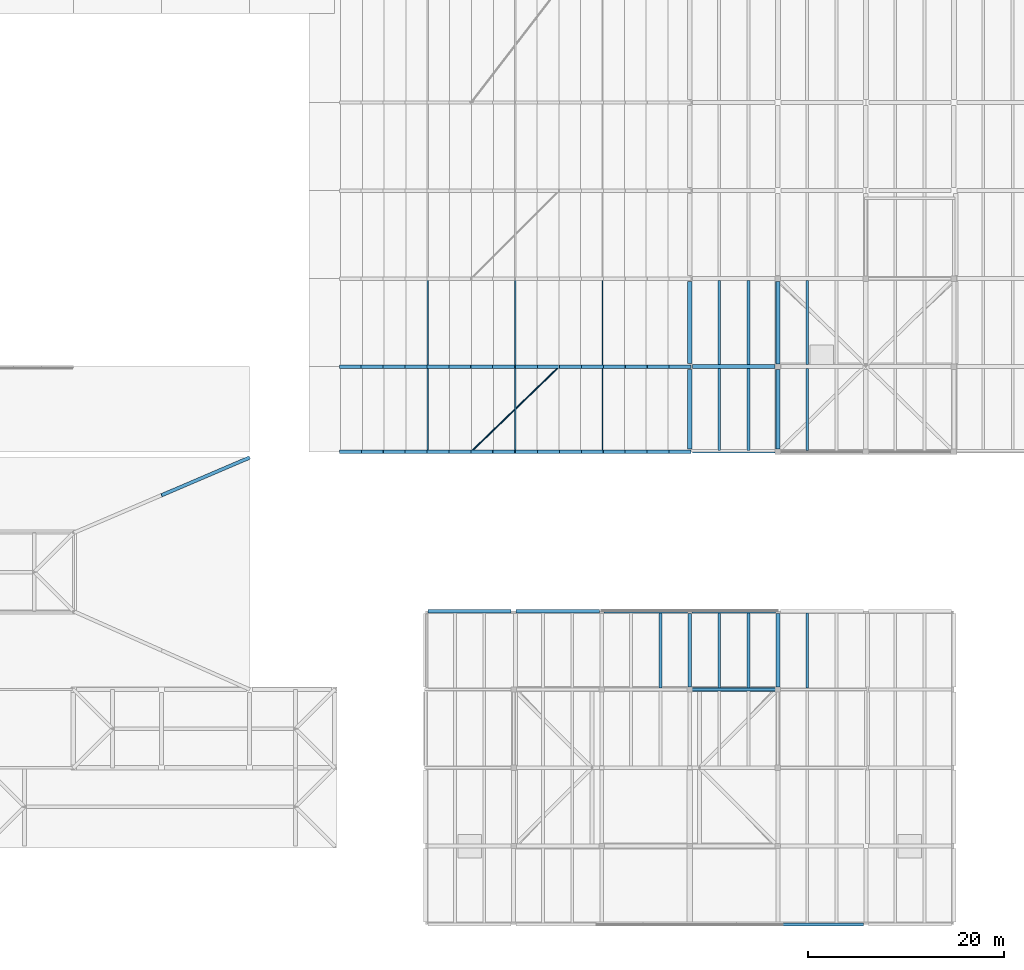
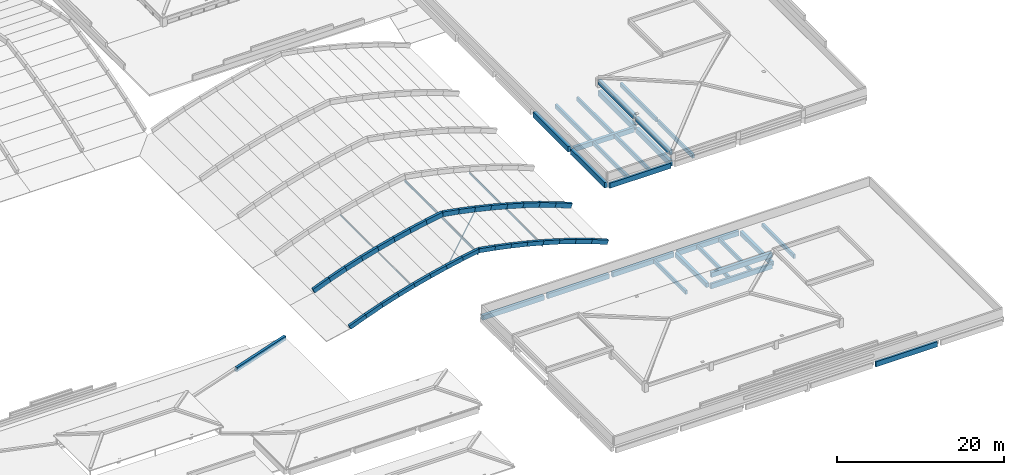
# One storey, part 28 of 56: 60 beams, 7 members.
"""IFC4 building model written with IfcOpenShell, lengths in metres."""

from ifc_helpers import new_model, si_unit, direction, frame, origin, origin_2d, place, context, subcontext, project, spatial, rectangle, hollow_rectangle, hollow_circle, i_section, extrude, material, material_profile, profile_set, type_object, element, save


model = new_model("IFC4")

# Units and contexts
model_context = context("Model", 3, precision=1e-05, world=origin(), true_north=direction((0.0, 1.0)))
body_context = subcontext(model_context, "Body", "Model", "MODEL_VIEW")
ifc_project = project(units=[si_unit("LENGTHUNIT", "METRE"), si_unit("AREAUNIT", "SQUARE_METRE"), si_unit("VOLUMEUNIT", "CUBIC_METRE"), si_unit("PLANEANGLEUNIT", "RADIAN"), si_unit("MASSUNIT", "GRAM", prefix="KILO")], contexts=[model_context])

# Site, building, storey
site_placement = place(None, origin())
site = spatial("IfcSite", under=ifc_project, at=site_placement, CompositionType="ELEMENT")
building_placement = place(site_placement, origin())
building = spatial("IfcBuilding", under=site, at=building_placement, Name="Zacnel Wholesale Market", CompositionType="ELEMENT")
storey_placement = place(building_placement, frame((0.0, 0.0, 20.300048828125)))
storey = spatial("IfcBuildingStorey", under=building, at=storey_placement, Name="RF", CompositionType="ELEMENT", Elevation=20.300048828125)

# Beams
ifc_material_1 = material(Name="Concrete C40/50", Category="concrete")
ifc_material_profile_1 = material_profile(ifc_material_1, rectangle(XDim=0.35009765625, YDim=0.60009765625, at=origin_2d()), Name="ARCH RIB 350x600")
ifc_profile_set_1 = profile_set([ifc_material_profile_1], Name="Concrete C40/50")
beam_type_1 = type_object("IfcBeamType", Name="BM-AR600", PredefinedType="USERDEFINED", material=ifc_profile_set_1)
beam_1_placement = place(storey_placement, frame((144.300048828125, 48.300048828125, -8.830078125), z_axis=(0.930242102492, 0.0, 0.366946359501), x_axis=(0.0, 1.0, 0.0)))
element("IfcBeam", 1, at=beam_1_placement, inside=storey, type_object=beam_type_1, Name="Extrados arch rib east-48.3-S01", ObjectType="ARCH RIB", PredefinedType="USERDEFINED", context=body_context, shape_type="SweptSolid", body=[
    extrude(rectangle(XDim=0.35009765625, YDim=0.60009765625, at=origin_2d()), origin(), (0.0, 0.0, 1.0), 2.3984375),
])
beam_2_placement = place(storey_placement, frame((146.53125, 48.300048828125, -7.949951171875), z_axis=(0.941347429701, 0.0, 0.337438907944), x_axis=(0.0, 1.0, 0.0)))
element("IfcBeam", 2, at=beam_2_placement, inside=storey, type_object=beam_type_1, Name="Extrados arch rib east-48.3-S02", ObjectType="ARCH RIB", PredefinedType="USERDEFINED", context=body_context, shape_type="SweptSolid", body=[
    extrude(rectangle(XDim=0.35009765625, YDim=0.60009765625, at=origin_2d()), origin(), (0.0, 0.0, 1.0), 2.3701171875),
])
beam_3_placement = place(storey_placement, frame((148.762451171875, 48.300048828125, -7.150146484375), z_axis=(0.951659538546, 0.0, 0.307154883885), x_axis=(0.0, 1.0, 0.0)))
element("IfcBeam", 3, at=beam_3_placement, inside=storey, type_object=beam_type_1, Name="Extrados arch rib east-48.3-S03", ObjectType="ARCH RIB", PredefinedType="USERDEFINED", context=body_context, shape_type="SweptSolid", body=[
    extrude(rectangle(XDim=0.35009765625, YDim=0.60009765625, at=origin_2d()), origin(), (0.0, 0.0, 1.0), 2.3447265625),
])
beam_4_placement = place(storey_placement, frame((150.993896484375, 48.300048828125, -6.429931640625), z_axis=(0.961249602226, 0.0, 0.275679528114), x_axis=(0.0, 1.0, 0.0)))
element("IfcBeam", 4, at=beam_4_placement, inside=storey, type_object=beam_type_1, Name="Extrados arch rib east-48.3-S04", ObjectType="ARCH RIB", PredefinedType="USERDEFINED", context=body_context, shape_type="SweptSolid", body=[
    extrude(rectangle(XDim=0.35009765625, YDim=0.60009765625, at=origin_2d()), origin(), (0.0, 0.0, 1.0), 2.321044921875),
])
beam_5_placement = place(storey_placement, frame((153.22509765625, 48.300048828125, -5.7900390625), z_axis=(0.967826117389, 0.0, 0.251619964429), x_axis=(0.0, 1.0, 0.0)))
element("IfcBeam", 5, at=beam_5_placement, inside=storey, type_object=beam_type_1, Name="Extrados arch rib east-48.3-S05", ObjectType="ARCH RIB", PredefinedType="USERDEFINED", context=body_context, shape_type="SweptSolid", body=[
    extrude(rectangle(XDim=0.35009765625, YDim=0.60009765625, at=origin_2d()), origin(), (0.0, 0.0, 1.0), 2.305419921875),
])
beam_6_placement = place(storey_placement, frame((155.456298828125, 48.300048828125, -5.2099609375), z_axis=(0.973898559906, 0.0, 0.226983688872), x_axis=(0.0, 1.0, 0.0)))
element("IfcBeam", 6, at=beam_6_placement, inside=storey, type_object=beam_type_1, Name="Extrados arch rib east-48.3-S06", ObjectType="ARCH RIB", PredefinedType="USERDEFINED", context=body_context, shape_type="SweptSolid", body=[
    extrude(rectangle(XDim=0.35009765625, YDim=0.60009765625, at=origin_2d()), origin(), (0.0, 0.0, 1.0), 2.291015625),
])
beam_7_placement = place(storey_placement, frame((157.6875, 48.300048828125, -4.68994140625), z_axis=(0.979405339386, 0.0, 0.201903890951), x_axis=(0.0, 1.0, 0.0)))
element("IfcBeam", 7, at=beam_7_placement, inside=storey, type_object=beam_type_1, Name="Extrados arch rib east-48.3-S07", ObjectType="ARCH RIB", PredefinedType="USERDEFINED", context=body_context, shape_type="SweptSolid", body=[
    extrude(rectangle(XDim=0.35009765625, YDim=0.60009765625, at=origin_2d()), origin(), (0.0, 0.0, 1.0), 2.278076171875),
])
for number, where, z_axis, x_axis, name in (
    (8, (159.918701171875, 48.300048828125, -4.22998046875), (0.984314876249, 0.0, 0.176420589484), (0.0, 1.0, 0.0), "Extrados arch rib east-48.3-S08"),
    (9, (162.14990234375, 48.300048828125, -3.830078125), (0.984314876249, 0.0, -0.176420589484), (0.0, 1.0, 0.0), "Extrados arch rib east-48.3-S09"),
):
    element("IfcBeam", number, at=place(storey_placement, frame(where, z_axis=z_axis, x_axis=x_axis)), inside=storey, type_object=beam_type_1, Name=name, ObjectType="ARCH RIB", PredefinedType="USERDEFINED", context=body_context, shape_type="SweptSolid", body=[
        extrude(rectangle(XDim=0.35009765625, YDim=0.60009765625, at=origin_2d()), origin(), (0.0, 0.0, 1.0), 2.266845703125),
    ])
beam_8_placement = place(storey_placement, frame((164.381103515625, 48.300048828125, -4.22998046875), z_axis=(0.979409707408, 0.0, -0.201882701177), x_axis=(0.0, 1.0, 0.0)))
element("IfcBeam", 10, at=beam_8_placement, inside=storey, type_object=beam_type_1, Name="Extrados arch rib east-48.3-S10", ObjectType="ARCH RIB", PredefinedType="USERDEFINED", context=body_context, shape_type="SweptSolid", body=[
    extrude(rectangle(XDim=0.35009765625, YDim=0.60009765625, at=origin_2d()), origin(), (0.0, 0.0, 1.0), 2.2783203125),
])
beam_9_placement = place(storey_placement, frame((166.612548828125, 48.300048828125, -4.68994140625), z_axis=(0.973898559906, 0.0, -0.226983688872), x_axis=(0.0, 1.0, 0.0)))
element("IfcBeam", 11, at=beam_9_placement, inside=storey, type_object=beam_type_1, Name="Extrados arch rib east-48.3-S11", ObjectType="ARCH RIB", PredefinedType="USERDEFINED", context=body_context, shape_type="SweptSolid", body=[
    extrude(rectangle(XDim=0.35009765625, YDim=0.60009765625, at=origin_2d()), origin(), (0.0, 0.0, 1.0), 2.291015625),
])
beam_10_placement = place(storey_placement, frame((168.84375, 48.300048828125, -5.2099609375), z_axis=(0.967826117389, 0.0, -0.251619964429), x_axis=(0.0, 1.0, 0.0)))
element("IfcBeam", 12, at=beam_10_placement, inside=storey, type_object=beam_type_1, Name="Extrados arch rib east-48.3-S12", ObjectType="ARCH RIB", PredefinedType="USERDEFINED", context=body_context, shape_type="SweptSolid", body=[
    extrude(rectangle(XDim=0.35009765625, YDim=0.60009765625, at=origin_2d()), origin(), (0.0, 0.0, 1.0), 2.305419921875),
])
beam_11_placement = place(storey_placement, frame((171.074951171875, 48.300048828125, -5.7900390625), z_axis=(0.961257594689, 0.0, -0.275651658171), x_axis=(0.0, 1.0, 0.0)))
element("IfcBeam", 13, at=beam_11_placement, inside=storey, type_object=beam_type_1, Name="Extrados arch rib east-48.3-S13", ObjectType="ARCH RIB", PredefinedType="USERDEFINED", context=body_context, shape_type="SweptSolid", body=[
    extrude(rectangle(XDim=0.35009765625, YDim=0.60009765625, at=origin_2d()), origin(), (0.0, 0.0, 1.0), 2.3212890625),
])
beam_12_placement = place(storey_placement, frame((173.306396484375, 48.300048828125, -6.429931640625), z_axis=(0.951649713947, 0.0, -0.307185321823), x_axis=(0.0, 1.0, 0.0)))
element("IfcBeam", 14, at=beam_12_placement, inside=storey, type_object=beam_type_1, Name="Extrados arch rib east-48.3-S14", ObjectType="ARCH RIB", PredefinedType="USERDEFINED", context=body_context, shape_type="SweptSolid", body=[
    extrude(rectangle(XDim=0.35009765625, YDim=0.60009765625, at=origin_2d()), origin(), (0.0, 0.0, 1.0), 2.344482421875),
])
beam_13_placement = place(storey_placement, frame((175.53759765625, 48.300048828125, -7.150146484375), z_axis=(0.941347429701, 0.0, -0.337438907944), x_axis=(0.0, 1.0, 0.0)))
element("IfcBeam", 15, at=beam_13_placement, inside=storey, type_object=beam_type_1, Name="Extrados arch rib east-48.3-S15", ObjectType="ARCH RIB", PredefinedType="USERDEFINED", context=body_context, shape_type="SweptSolid", body=[
    extrude(rectangle(XDim=0.35009765625, YDim=0.60009765625, at=origin_2d()), origin(), (0.0, 0.0, 1.0), 2.3701171875),
])
beam_14_placement = place(storey_placement, frame((177.768798828125, 48.300048828125, -7.949951171875), z_axis=(0.930242102492, 0.0, -0.366946359501), x_axis=(0.0, 1.0, 0.0)))
element("IfcBeam", 16, at=beam_14_placement, inside=storey, type_object=beam_type_1, Name="Extrados arch rib east-48.3-S16", ObjectType="ARCH RIB", PredefinedType="USERDEFINED", context=body_context, shape_type="SweptSolid", body=[
    extrude(rectangle(XDim=0.35009765625, YDim=0.60009765625, at=origin_2d()), origin(), (0.0, 0.0, 1.0), 2.3984375),
])
beam_15_placement = place(storey_placement, frame((135.0, 47.699951171875, -6.75), z_axis=(-0.916128427297, -0.391884471844, 0.084470500336), x_axis=(0.393290098332, -0.919414432426, 0.0)))
element("IfcBeam", 17, at=beam_15_placement, inside=storey, type_object=beam_type_1, Name="Auction pavilion hip rib 3-1", ObjectType="ARCH RIB", PredefinedType="USERDEFINED", context=body_context, shape_type="SweptSolid", body=[
    extrude(rectangle(XDim=0.35009765625, YDim=0.60009765625, at=origin_2d()), origin(), (0.0, 0.0, 1.0), 9.823974609375),
])
ifc_material_2 = material(Name="Concrete C40/50", Category="concrete")
ifc_material_profile_2 = material_profile(ifc_material_2, rectangle(XDim=0.35009765625, YDim=0.699951171875, at=origin_2d()), Name="ARCH RIB 350x700")
ifc_profile_set_2 = profile_set([ifc_material_profile_2], Name="Concrete C40/50")
beam_type_2 = type_object("IfcBeamType", Name="BM-AR700", PredefinedType="USERDEFINED", material=ifc_profile_set_2)
beam_16_placement = place(storey_placement, frame((144.300048828125, 57.0, -8.780029296875), z_axis=(0.930276844905, 0.0, 0.366858272135), x_axis=(0.0, 1.0, 0.0)))
element("IfcBeam", 18, at=beam_16_placement, inside=storey, type_object=beam_type_2, Name="Extrados arch rib east-57.0-S01", ObjectType="ARCH RIB", PredefinedType="USERDEFINED", context=body_context, shape_type="SweptSolid", body=[
    extrude(rectangle(XDim=0.35009765625, YDim=0.699951171875, at=origin_2d()), origin(), (0.0, 0.0, 1.0), 2.3984375),
])
beam_17_placement = place(storey_placement, frame((146.53125, 57.0, -7.900146484375), z_axis=(0.94131470769, 0.0, 0.337530178039), x_axis=(0.0, 1.0, 0.0)))
element("IfcBeam", 19, at=beam_17_placement, inside=storey, type_object=beam_type_2, Name="Extrados arch rib east-57.0-S02", ObjectType="ARCH RIB", PredefinedType="USERDEFINED", context=body_context, shape_type="SweptSolid", body=[
    extrude(rectangle(XDim=0.35009765625, YDim=0.699951171875, at=origin_2d()), origin(), (0.0, 0.0, 1.0), 2.370361328125),
])
beam_18_placement = place(storey_placement, frame((148.762451171875, 57.0, -7.10009765625), z_axis=(0.951689969926, 0.0, 0.307060582201), x_axis=(0.0, 1.0, 0.0)))
element("IfcBeam", 20, at=beam_18_placement, inside=storey, type_object=beam_type_2, Name="Extrados arch rib east-57.0-S03", ObjectType="ARCH RIB", PredefinedType="USERDEFINED", context=body_context, shape_type="SweptSolid", body=[
    extrude(rectangle(XDim=0.35009765625, YDim=0.699951171875, at=origin_2d()), origin(), (0.0, 0.0, 1.0), 2.3447265625),
])
beam_19_placement = place(storey_placement, frame((150.993896484375, 57.0, -6.380126953125), z_axis=(0.961221725476, 0.0, 0.275776711259), x_axis=(0.0, 1.0, 0.0)))
element("IfcBeam", 21, at=beam_19_placement, inside=storey, type_object=beam_type_2, Name="Extrados arch rib east-57.0-S04", ObjectType="ARCH RIB", PredefinedType="USERDEFINED", context=body_context, shape_type="SweptSolid", body=[
    extrude(rectangle(XDim=0.35009765625, YDim=0.699951171875, at=origin_2d()), origin(), (0.0, 0.0, 1.0), 2.3212890625),
])
beam_20_placement = place(storey_placement, frame((153.22509765625, 57.0, -5.739990234375), z_axis=(0.967851902384, 0.0, 0.251520764653), x_axis=(0.0, 1.0, 0.0)))
element("IfcBeam", 22, at=beam_20_placement, inside=storey, type_object=beam_type_2, Name="Extrados arch rib east-57.0-S05", ObjectType="ARCH RIB", PredefinedType="USERDEFINED", context=body_context, shape_type="SweptSolid", body=[
    extrude(rectangle(XDim=0.35009765625, YDim=0.699951171875, at=origin_2d()), origin(), (0.0, 0.0, 1.0), 2.305419921875),
])
beam_21_placement = place(storey_placement, frame((155.456298828125, 57.0, -5.16015625), z_axis=(0.973898559906, 0.0, 0.226983688872), x_axis=(0.0, 1.0, 0.0)))
element("IfcBeam", 23, at=beam_21_placement, inside=storey, type_object=beam_type_2, Name="Extrados arch rib east-57.0-S06", ObjectType="ARCH RIB", PredefinedType="USERDEFINED", context=body_context, shape_type="SweptSolid", body=[
    extrude(rectangle(XDim=0.35009765625, YDim=0.699951171875, at=origin_2d()), origin(), (0.0, 0.0, 1.0), 2.291015625),
])
beam_22_placement = place(storey_placement, frame((157.6875, 57.0, -4.64013671875), z_axis=(0.979384142499, 0.0, 0.202006686575), x_axis=(0.0, 1.0, 0.0)))
element("IfcBeam", 24, at=beam_22_placement, inside=storey, type_object=beam_type_2, Name="Extrados arch rib east-57.0-S07", ObjectType="ARCH RIB", PredefinedType="USERDEFINED", context=body_context, shape_type="SweptSolid", body=[
    extrude(rectangle(XDim=0.35009765625, YDim=0.699951171875, at=origin_2d()), origin(), (0.0, 0.0, 1.0), 2.278076171875),
])
for number, where, z_axis, x_axis, name in (
    (25, (159.918701171875, 57.0, -4.179931640625), (0.984314876249, 0.0, 0.176420589484), (0.0, 1.0, 0.0), "Extrados arch rib east-57.0-S08"),
    (26, (162.14990234375, 57.0, -3.780029296875), (0.984314876249, 0.0, -0.176420589484), (0.0, 1.0, 0.0), "Extrados arch rib east-57.0-S09"),
):
    element("IfcBeam", number, at=place(storey_placement, frame(where, z_axis=z_axis, x_axis=x_axis)), inside=storey, type_object=beam_type_2, Name=name, ObjectType="ARCH RIB", PredefinedType="USERDEFINED", context=body_context, shape_type="SweptSolid", body=[
        extrude(rectangle(XDim=0.35009765625, YDim=0.699951171875, at=origin_2d()), origin(), (0.0, 0.0, 1.0), 2.266845703125),
    ])
beam_23_placement = place(storey_placement, frame((164.381103515625, 57.0, -4.179931640625), z_axis=(0.979388514875, 0.0, -0.20198548693), x_axis=(0.0, 1.0, 0.0)))
element("IfcBeam", 27, at=beam_23_placement, inside=storey, type_object=beam_type_2, Name="Extrados arch rib east-57.0-S10", ObjectType="ARCH RIB", PredefinedType="USERDEFINED", context=body_context, shape_type="SweptSolid", body=[
    extrude(rectangle(XDim=0.35009765625, YDim=0.699951171875, at=origin_2d()), origin(), (0.0, 0.0, 1.0), 2.2783203125),
])
beam_24_placement = place(storey_placement, frame((166.612548828125, 57.0, -4.64013671875), z_axis=(0.973898559906, 0.0, -0.226983688872), x_axis=(0.0, 1.0, 0.0)))
element("IfcBeam", 28, at=beam_24_placement, inside=storey, type_object=beam_type_2, Name="Extrados arch rib east-57.0-S11", ObjectType="ARCH RIB", PredefinedType="USERDEFINED", context=body_context, shape_type="SweptSolid", body=[
    extrude(rectangle(XDim=0.35009765625, YDim=0.699951171875, at=origin_2d()), origin(), (0.0, 0.0, 1.0), 2.291015625),
])
beam_25_placement = place(storey_placement, frame((168.84375, 57.0, -5.16015625), z_axis=(0.967851902384, 0.0, -0.251520764653), x_axis=(0.0, 1.0, 0.0)))
element("IfcBeam", 29, at=beam_25_placement, inside=storey, type_object=beam_type_2, Name="Extrados arch rib east-57.0-S12", ObjectType="ARCH RIB", PredefinedType="USERDEFINED", context=body_context, shape_type="SweptSolid", body=[
    extrude(rectangle(XDim=0.35009765625, YDim=0.699951171875, at=origin_2d()), origin(), (0.0, 0.0, 1.0), 2.305419921875),
])
beam_26_placement = place(storey_placement, frame((171.074951171875, 57.0, -5.739990234375), z_axis=(0.961229723344, 0.0, -0.275748833108), x_axis=(0.0, 1.0, 0.0)))
element("IfcBeam", 30, at=beam_26_placement, inside=storey, type_object=beam_type_2, Name="Extrados arch rib east-57.0-S13", ObjectType="ARCH RIB", PredefinedType="USERDEFINED", context=body_context, shape_type="SweptSolid", body=[
    extrude(rectangle(XDim=0.35009765625, YDim=0.699951171875, at=origin_2d()), origin(), (0.0, 0.0, 1.0), 2.321533203125),
])
beam_27_placement = place(storey_placement, frame((173.306396484375, 57.0, -6.380126953125), z_axis=(0.951680151046, 0.0, -0.30709101274), x_axis=(0.0, 1.0, 0.0)))
element("IfcBeam", 31, at=beam_27_placement, inside=storey, type_object=beam_type_2, Name="Extrados arch rib east-57.0-S14", ObjectType="ARCH RIB", PredefinedType="USERDEFINED", context=body_context, shape_type="SweptSolid", body=[
    extrude(rectangle(XDim=0.35009765625, YDim=0.699951171875, at=origin_2d()), origin(), (0.0, 0.0, 1.0), 2.344482421875),
])
beam_28_placement = place(storey_placement, frame((175.53759765625, 57.0, -7.10009765625), z_axis=(0.94131470769, 0.0, -0.337530178039), x_axis=(0.0, 1.0, 0.0)))
element("IfcBeam", 32, at=beam_28_placement, inside=storey, type_object=beam_type_2, Name="Extrados arch rib east-57.0-S15", ObjectType="ARCH RIB", PredefinedType="USERDEFINED", context=body_context, shape_type="SweptSolid", body=[
    extrude(rectangle(XDim=0.35009765625, YDim=0.699951171875, at=origin_2d()), origin(), (0.0, 0.0, 1.0), 2.370361328125),
])
beam_29_placement = place(storey_placement, frame((177.768798828125, 57.0, -7.900146484375), z_axis=(0.930276844905, 0.0, -0.366858272135), x_axis=(0.0, 1.0, 0.0)))
element("IfcBeam", 33, at=beam_29_placement, inside=storey, type_object=beam_type_2, Name="Extrados arch rib east-57.0-S16", ObjectType="ARCH RIB", PredefinedType="USERDEFINED", context=body_context, shape_type="SweptSolid", body=[
    extrude(rectangle(XDim=0.35009765625, YDim=0.699951171875, at=origin_2d()), origin(), (0.0, 0.0, 1.0), 2.3984375),
])
ifc_material_3 = material(Name="Precast concrete C45/55", Category="concrete")
ifc_material_profile_3 = material_profile(ifc_material_3, rectangle(XDim=0.280029296875, YDim=0.550048828125, at=origin_2d()), Name="DT RIB 280x550")
ifc_profile_set_3 = profile_set([ifc_material_profile_3], Name="Precast concrete C45/55")
beam_type_3 = type_object("IfcBeamType", Name="BM-DT550", PredefinedType="JOIST", material=ifc_profile_set_3)
for number, where, z_axis, x_axis, name in (
    (34, (177.0, 24.14990234375, -0.574951171875), (0.0, 1.0, 0.0), (-1.0, 0.0, 0.0), "Precast secondary joist RF-0822"),
    (35, (183.0, 24.14990234375, -0.574951171875), (0.0, 1.0, 0.0), (-1.0, 0.0, 0.0), "Precast secondary joist RF-0823"),
    (36, (186.0, 24.14990234375, -0.574951171875), (0.0, 1.0, 0.0), (-1.0, 0.0, 0.0), "Precast secondary joist RF-0824"),
    (37, (192.0, 24.14990234375, -0.574951171875), (0.0, 1.0, 0.0), (-1.0, 0.0, 0.0), "Precast secondary joist RF-0825"),
):
    element("IfcBeam", number, at=place(storey_placement, frame(where, z_axis=z_axis, x_axis=x_axis)), inside=storey, type_object=beam_type_3, Name=name, PredefinedType="JOIST", context=body_context, shape_type="SweptSolid", body=[
        extrude(rectangle(XDim=0.280029296875, YDim=0.550048828125, at=origin_2d()), origin(), (0.0, 0.0, 1.0), 7.650146484375),
    ])
ifc_material_4 = material(Name="Precast concrete C45/55", Category="concrete")
ifc_material_profile_4 = material_profile(ifc_material_4, rectangle(XDim=0.280029296875, YDim=0.60009765625, at=origin_2d()), Name="DT RIB 280x600")
ifc_profile_set_4 = profile_set([ifc_material_profile_4], Name="Precast concrete C45/55")
beam_type_4 = type_object("IfcBeamType", Name="BM-DT600", PredefinedType="JOIST", material=ifc_profile_set_4)
for number, where, z_axis, x_axis, name in (
    (38, (183.0, 48.449951171875, -0.60009765625), (0.0, 1.0, 0.0), (-1.0, 0.0, 0.0), "Precast secondary joist RF-0841"),
    (39, (186.0, 48.449951171875, -0.60009765625), (0.0, 1.0, 0.0), (-1.0, 0.0, 0.0), "Precast secondary joist RF-0842"),
    (40, (192.0, 48.449951171875, -0.60009765625), (0.0, 1.0, 0.0), (-1.0, 0.0, 0.0), "Precast secondary joist RF-0843"),
):
    element("IfcBeam", number, at=place(storey_placement, frame(where, z_axis=z_axis, x_axis=x_axis)), inside=storey, type_object=beam_type_4, Name=name, PredefinedType="JOIST", context=body_context, shape_type="SweptSolid", body=[
        extrude(rectangle(XDim=0.280029296875, YDim=0.60009765625, at=origin_2d()), origin(), (0.0, 0.0, 1.0), 8.35009765625),
    ])
for number, where, z_axis, x_axis, name in (
    (41, (183.0, 57.199951171875, -0.60009765625), (0.0, 1.0, 0.0), (-1.0, 0.0, 0.0), "Precast secondary joist RF-0861"),
    (42, (186.0, 57.199951171875, -0.60009765625), (0.0, 1.0, 0.0), (-1.0, 0.0, 0.0), "Precast secondary joist RF-0862"),
    (43, (192.0, 57.199951171875, -0.60009765625), (0.0, 1.0, 0.0), (-1.0, 0.0, 0.0), "Precast secondary joist RF-0863"),
):
    element("IfcBeam", number, at=place(storey_placement, frame(where, z_axis=z_axis, x_axis=x_axis)), inside=storey, type_object=beam_type_4, Name=name, PredefinedType="JOIST", context=body_context, shape_type="SweptSolid", body=[
        extrude(rectangle(XDim=0.280029296875, YDim=0.60009765625, at=origin_2d()), origin(), (0.0, 0.0, 1.0), 8.60009765625),
    ])
ifc_material_5 = material(Name="Precast concrete C45/55", Category="concrete")
ifc_material_profile_5 = material_profile(ifc_material_5, rectangle(XDim=0.39990234375, YDim=0.64990234375, at=origin_2d()), Name="PG 400x650")
ifc_profile_set_5 = profile_set([ifc_material_profile_5], Name="Precast concrete C45/55")
beam_type_5 = type_object("IfcBeamType", Name="BM-PG650", PredefinedType="BEAM", material=ifc_profile_set_5)
for number, where, z_axis, x_axis, name in (
    (44, (180.0, 24.25, -0.625), (0.0, 1.0, 0.0), (-1.0, 0.0, 0.0), "Precast girder Y-1508"),
    (45, (189.0, 24.25, -0.625), (0.0, 1.0, 0.0), (-1.0, 0.0, 0.0), "Precast girder Y-1517"),
):
    element("IfcBeam", number, at=place(storey_placement, frame(where, z_axis=z_axis, x_axis=x_axis)), inside=storey, type_object=beam_type_5, Name=name, PredefinedType="BEAM", context=body_context, shape_type="SweptSolid", body=[
        extrude(rectangle(XDim=0.39990234375, YDim=0.64990234375, at=origin_2d()), origin(), (0.0, 0.0, 1.0), 7.5),
    ])
ifc_material_6 = material(Name="Precast concrete C45/55", Category="concrete")
ifc_material_profile_6 = material_profile(ifc_material_6, rectangle(XDim=0.39990234375, YDim=0.699951171875, at=origin_2d()), Name="PG 400x700")
ifc_profile_set_6 = profile_set([ifc_material_profile_6], Name="Precast concrete C45/55")
beam_type_6 = type_object("IfcBeamType", Name="BM-PG700", PredefinedType="BEAM", material=ifc_profile_set_6)
for number, where, z_axis, x_axis, name in (
    (46, (153.25, 32.0, -0.650146484375), (1.0, 0.0, 0.0), (0.0, 1.0, 0.0), "Precast girder X-1348"),
    (47, (162.25, 32.0, -0.650146484375), (1.0, 0.0, 0.0), (0.0, 1.0, 0.0), "Precast girder X-1349"),
    (48, (171.25, 32.0, -0.650146484375), (1.0, 0.0, 0.0), (0.0, 1.0, 0.0), "Precast girder X-1350"),
    (49, (180.25, 32.0, -0.650146484375), (1.0, 0.0, 0.0), (0.0, 1.0, 0.0), "Precast girder X-1351"),
):
    element("IfcBeam", number, at=place(storey_placement, frame(where, z_axis=z_axis, x_axis=x_axis)), inside=storey, type_object=beam_type_6, Name=name, PredefinedType="BEAM", context=body_context, shape_type="SweptSolid", body=[
        extrude(rectangle(XDim=0.39990234375, YDim=0.699951171875, at=origin_2d()), origin(), (0.0, 0.0, 1.0), 8.5),
    ])
beam_30_placement = place(storey_placement, frame((180.300048828125, 57.0, -0.650146484375), z_axis=(1.0, 0.0, 0.0), x_axis=(0.0, 1.0, 0.0)))
element("IfcBeam", 50, at=beam_30_placement, inside=storey, type_object=beam_type_6, Name="Precast girder X-1370", PredefinedType="BEAM", context=body_context, shape_type="SweptSolid", body=[
    extrude(rectangle(XDim=0.39990234375, YDim=0.699951171875, at=origin_2d()), origin(), (0.0, 0.0, 1.0), 8.39990234375),
])
beam_31_placement = place(storey_placement, frame((180.280029296875, 24.0, 1.0), z_axis=(1.0, 0.0, 0.0), x_axis=(0.0, 1.0, 0.0)))
element("IfcBeam", 51, at=beam_31_placement, inside=storey, type_object=beam_type_6, Name="Attic crown girder X V5ZIG-06", PredefinedType="BEAM", context=body_context, shape_type="SweptSolid", body=[
    extrude(rectangle(XDim=0.39990234375, YDim=0.699951171875, at=origin_2d()), origin(), (0.0, 0.0, 1.0), 8.43994140625),
])
beam_32_placement = place(storey_placement, frame((189.0, 48.580078125, 0.89990234375), z_axis=(0.0, 1.0, 0.0), x_axis=(-1.0, 0.0, 0.0)))
element("IfcBeam", 52, at=beam_32_placement, inside=storey, type_object=beam_type_6, Name="Attic crown girder Y V1ELAN-05", PredefinedType="BEAM", context=body_context, shape_type="SweptSolid", body=[
    extrude(rectangle(XDim=0.39990234375, YDim=0.699951171875, at=origin_2d()), origin(), (0.0, 0.0, 1.0), 8.139892578125),
])
beam_33_placement = place(storey_placement, frame((189.0, 57.280029296875, 0.89990234375), z_axis=(0.0, 1.0, 0.0), x_axis=(-1.0, 0.0, 0.0)))
element("IfcBeam", 53, at=beam_33_placement, inside=storey, type_object=beam_type_6, Name="Attic crown girder Y V1ELAN-06", PredefinedType="BEAM", context=body_context, shape_type="SweptSolid", body=[
    extrude(rectangle(XDim=0.39990234375, YDim=0.699951171875, at=origin_2d()), origin(), (0.0, 0.0, 1.0), 8.43994140625),
])
ifc_material_7 = material(Name="Precast concrete C45/55", Category="concrete")
ifc_material_profile_7 = material_profile(ifc_material_7, rectangle(XDim=0.449951171875, YDim=0.800048828125, at=origin_2d()), Name="PG 450x800")
ifc_profile_set_7 = profile_set([ifc_material_profile_7], Name="Precast concrete C45/55")
beam_type_7 = type_object("IfcBeamType", Name="BM-PG800", PredefinedType="BEAM", material=ifc_profile_set_7)
beam_34_placement = place(storey_placement, frame((180.0, 48.574951171875, -0.699951171875), z_axis=(0.0, 1.0, 0.0), x_axis=(-1.0, 0.0, 0.0)))
element("IfcBeam", 54, at=beam_34_placement, inside=storey, type_object=beam_type_7, Name="Precast girder Y-1509", PredefinedType="BEAM", context=body_context, shape_type="SweptSolid", body=[
    extrude(rectangle(XDim=0.449951171875, YDim=0.800048828125, at=origin_2d()), origin(), (0.0, 0.0, 1.0), 8.125),
])
beam_35_placement = place(storey_placement, frame((180.0, 57.300048828125, -0.699951171875), z_axis=(0.0, 1.0, 0.0), x_axis=(-1.0, 0.0, 0.0)))
element("IfcBeam", 55, at=beam_35_placement, inside=storey, type_object=beam_type_7, Name="Precast girder Y-1510", PredefinedType="BEAM", context=body_context, shape_type="SweptSolid", body=[
    extrude(rectangle(XDim=0.449951171875, YDim=0.800048828125, at=origin_2d()), origin(), (0.0, 0.0, 1.0), 8.39990234375),
])
beam_36_placement = place(storey_placement, frame((189.0, 48.574951171875, -0.699951171875), z_axis=(0.0, 1.0, 0.0), x_axis=(-1.0, 0.0, 0.0)))
element("IfcBeam", 56, at=beam_36_placement, inside=storey, type_object=beam_type_7, Name="Precast girder Y-1518", PredefinedType="BEAM", context=body_context, shape_type="SweptSolid", body=[
    extrude(rectangle(XDim=0.449951171875, YDim=0.800048828125, at=origin_2d()), origin(), (0.0, 0.0, 1.0), 8.125),
])
beam_37_placement = place(storey_placement, frame((189.0, 57.300048828125, -0.699951171875), z_axis=(0.0, 1.0, 0.0), x_axis=(-1.0, 0.0, 0.0)))
element("IfcBeam", 57, at=beam_37_placement, inside=storey, type_object=beam_type_7, Name="Precast girder Y-1519", PredefinedType="BEAM", context=body_context, shape_type="SweptSolid", body=[
    extrude(rectangle(XDim=0.449951171875, YDim=0.800048828125, at=origin_2d()), origin(), (0.0, 0.0, 1.0), 8.39990234375),
])
ifc_material_8 = material(Name="Precast concrete C45/55", Category="concrete")
ifc_material_profile_8 = material_profile(ifc_material_8, rectangle(XDim=0.300048828125, YDim=0.75, at=origin_2d()), Name="SP 300x750")
ifc_profile_set_8 = profile_set([ifc_material_profile_8], Name="Precast concrete C45/55")
beam_type_8 = type_object("IfcBeamType", Name="BM-SP750", PredefinedType="SPANDREL", material=ifc_profile_set_8)
for number, where, z_axis, x_axis, name in (
    (58, (189.25, 0.0, -0.675048828125), (1.0, 0.0, 0.0), (0.0, 1.0, 0.0), "Precast girder X-1329"),
    (59, (180.25, 24.0, -0.675048828125), (1.0, 0.0, 0.0), (0.0, 1.0, 0.0), "Precast girder X-1345"),
):
    element("IfcBeam", number, at=place(storey_placement, frame(where, z_axis=z_axis, x_axis=x_axis)), inside=storey, type_object=beam_type_8, Name=name, PredefinedType="SPANDREL", context=body_context, shape_type="SweptSolid", body=[
        extrude(rectangle(XDim=0.300048828125, YDim=0.75, at=origin_2d()), origin(), (0.0, 0.0, 1.0), 8.5),
    ])
beam_38_placement = place(storey_placement, frame((180.27490234375, 48.300048828125, -0.675048828125), z_axis=(1.0, 0.0, 0.0), x_axis=(0.0, 1.0, 0.0)))
element("IfcBeam", 60, at=beam_38_placement, inside=storey, type_object=beam_type_8, Name="Precast girder X-1360", PredefinedType="SPANDREL", context=body_context, shape_type="SweptSolid", body=[
    extrude(rectangle(XDim=0.300048828125, YDim=0.75, at=origin_2d()), origin(), (0.0, 0.0, 1.0), 8.4501953125),
])

# Members
ifc_material_9 = material(Name="Steel S355", Category="steel")
ifc_material_profile_9 = material_profile(ifc_material_9, hollow_circle(Radius=0.084228515625, WallThickness=0.008056640625, at=origin_2d()), Name="CHS 168.3x8")
ifc_profile_set_9 = profile_set([ifc_material_profile_9], Name="Steel S355")
member_type_1 = type_object("IfcMemberType", Name="MEM-BRC-CHS168", PredefinedType="BRACE", material=ifc_profile_set_9)
member_1_placement = place(storey_placement, frame((157.6875, 48.340087890625, -5.06005859375), z_axis=(0.719297369262, 0.69470230644, 0.0), x_axis=(-0.69470230644, 0.719297369262, 0.0)))
element("IfcMember", 61, at=member_1_placement, inside=storey, type_object=member_type_1, Name="Shell diaphragm brace 012", PredefinedType="BRACE", context=body_context, shape_type="SweptSolid", body=[
    extrude(hollow_circle(Radius=0.084228515625, WallThickness=0.008056640625, at=origin_2d()), origin(), (0.0, 0.0, 1.0), 12.407958984375),
])
ifc_material_10 = material(Name="Steel S355", Category="steel")
ifc_material_profile_10 = material_profile(ifc_material_10, hollow_rectangle(XDim=0.10009765625, YDim=0.14990234375, WallThickness=0.008056640625, InnerFilletRadius=0.008056640625, OuterFilletRadius=0.01611328125, at=origin_2d()), Name="HSS 150x100x8")
ifc_profile_set_10 = profile_set([ifc_material_profile_10], Name="Steel S355")
member_type_2 = type_object("IfcMemberType", Name="MEM-PUR-HSS150", PredefinedType="PURLIN", material=ifc_profile_set_10)
member_2_placement = place(storey_placement, frame((153.22509765625, 48.320068359375, -6.27001953125), z_axis=(0.0, 1.0, 0.0), x_axis=(-1.0, 0.0, 0.0)))
element("IfcMember", 62, at=member_2_placement, inside=storey, type_object=member_type_2, Name="Shell longitudinal tie purlin 0028", PredefinedType="PURLIN", context=body_context, shape_type="SweptSolid", body=[
    extrude(hollow_rectangle(XDim=0.10009765625, YDim=0.14990234375, WallThickness=0.008056640625, InnerFilletRadius=0.008056640625, OuterFilletRadius=0.01611328125, at=origin_2d()), origin(), (0.0, 0.0, 1.0), 8.659912109375),
])
member_3_placement = place(storey_placement, frame((153.22509765625, 57.02001953125, -6.27001953125), z_axis=(0.0, 1.0, 0.0), x_axis=(-1.0, 0.0, 0.0)))
element("IfcMember", 63, at=member_3_placement, inside=storey, type_object=member_type_2, Name="Shell longitudinal tie purlin 0031", PredefinedType="PURLIN", context=body_context, shape_type="SweptSolid", body=[
    extrude(hollow_rectangle(XDim=0.10009765625, YDim=0.14990234375, WallThickness=0.008056640625, InnerFilletRadius=0.008056640625, OuterFilletRadius=0.01611328125, at=origin_2d()), origin(), (0.0, 0.0, 1.0), 8.9599609375),
])
ifc_material_11 = material(Name="Steel S355", Category="steel")
ifc_material_profile_11 = material_profile(ifc_material_11, i_section(OverallWidth=0.133056640625, OverallDepth=0.20703125, WebThickness=0.005859375, FlangeThickness=0.00830078125, FilletRadius=0.008056640625, at=origin_2d()), Name="W200X26.6")
ifc_profile_set_11 = profile_set([ifc_material_profile_11], Name="Steel S355")
member_type_3 = type_object("IfcMemberType", Name="MEM-PUR-W200", PredefinedType="PURLIN", material=ifc_profile_set_11)
member_4_placement = place(storey_placement, frame((171.074951171875, 48.320068359375, -6.298583984375), z_axis=(0.0, 1.0, 0.0), x_axis=(-1.0, 0.0, 0.0)))
element("IfcMember", 64, at=member_4_placement, inside=storey, type_object=member_type_3, Name="Shell longitudinal tie purlin 0030", PredefinedType="PURLIN", context=body_context, shape_type="SweptSolid", body=[
    extrude(i_section(OverallWidth=0.133056640625, OverallDepth=0.20703125, WebThickness=0.005859375, FlangeThickness=0.00830078125, FilletRadius=0.008056640625, at=origin_2d()), origin(), (0.0, 0.0, 1.0), 8.659912109375),
])
member_5_placement = place(storey_placement, frame((171.074951171875, 57.02001953125, -6.298583984375), z_axis=(0.0, 1.0, 0.0), x_axis=(-1.0, 0.0, 0.0)))
element("IfcMember", 65, at=member_5_placement, inside=storey, type_object=member_type_3, Name="Shell longitudinal tie purlin 0033", PredefinedType="PURLIN", context=body_context, shape_type="SweptSolid", body=[
    extrude(i_section(OverallWidth=0.133056640625, OverallDepth=0.20703125, WebThickness=0.005859375, FlangeThickness=0.00830078125, FilletRadius=0.008056640625, at=origin_2d()), origin(), (0.0, 0.0, 1.0), 8.9599609375),
])
ifc_material_12 = material(Name="Steel S355", Category="steel")
ifc_material_profile_12 = material_profile(ifc_material_12, i_section(OverallWidth=0.14599609375, OverallDepth=0.258056640625, WebThickness=0.006103515625, FlangeThickness=0.009033203125, FilletRadius=0.009033203125, at=origin_2d()), Name="W250X32.7")
ifc_profile_set_12 = profile_set([ifc_material_profile_12], Name="Steel S355")
member_type_4 = type_object("IfcMemberType", Name="MEM-PUR-W250", PredefinedType="PURLIN", material=ifc_profile_set_12)
member_6_placement = place(storey_placement, frame((162.14990234375, 48.320068359375, -4.364013671875), z_axis=(0.0, 1.0, 0.0), x_axis=(-1.0, 0.0, 0.0)))
element("IfcMember", 66, at=member_6_placement, inside=storey, type_object=member_type_4, Name="Shell longitudinal tie purlin 0029", PredefinedType="PURLIN", context=body_context, shape_type="SweptSolid", body=[
    extrude(i_section(OverallWidth=0.14599609375, OverallDepth=0.258056640625, WebThickness=0.006103515625, FlangeThickness=0.009033203125, FilletRadius=0.009033203125, at=origin_2d()), origin(), (0.0, 0.0, 1.0), 8.659912109375),
])
member_7_placement = place(storey_placement, frame((162.14990234375, 57.02001953125, -4.364013671875), z_axis=(0.0, 1.0, 0.0), x_axis=(-1.0, 0.0, 0.0)))
element("IfcMember", 67, at=member_7_placement, inside=storey, type_object=member_type_4, Name="Shell longitudinal tie purlin 0032", PredefinedType="PURLIN", context=body_context, shape_type="SweptSolid", body=[
    extrude(i_section(OverallWidth=0.14599609375, OverallDepth=0.258056640625, WebThickness=0.006103515625, FlangeThickness=0.009033203125, FilletRadius=0.009033203125, at=origin_2d()), origin(), (0.0, 0.0, 1.0), 8.9599609375),
])

save(model, "model.ifc")
